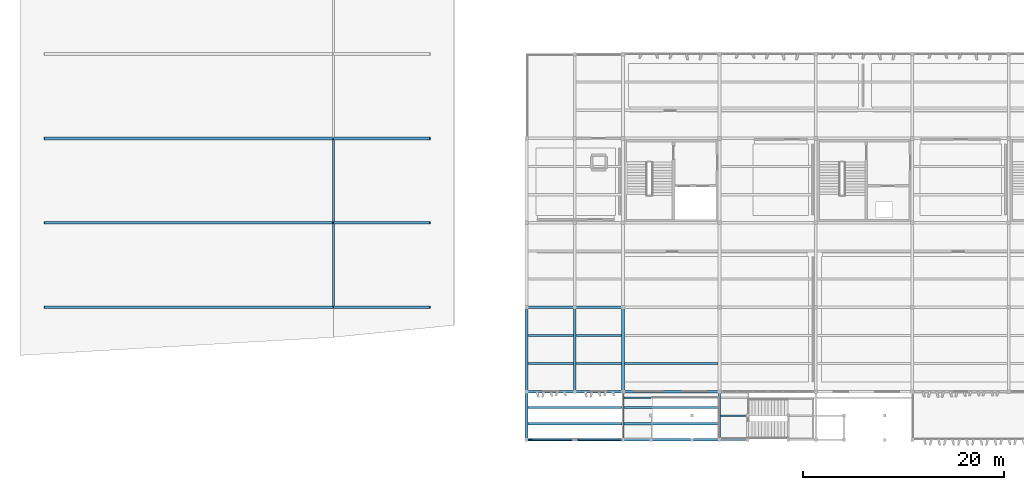
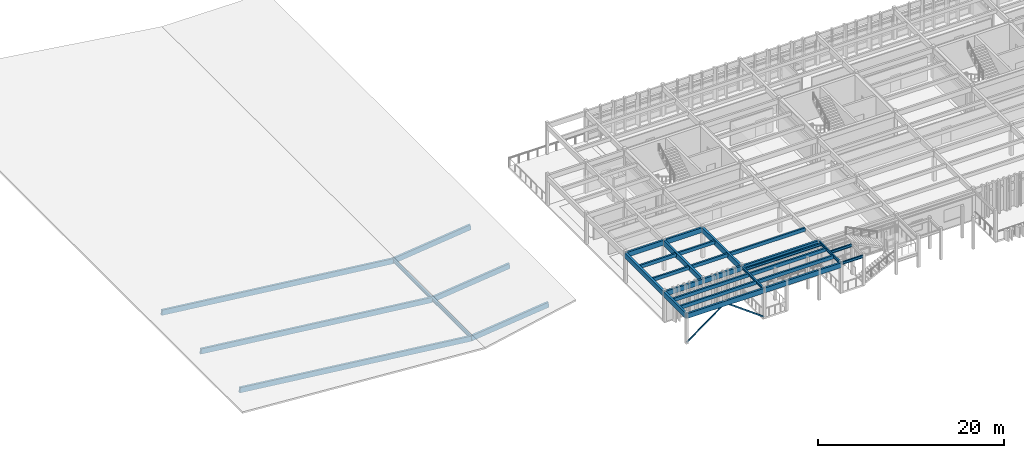
# One storey, part 2 of 18: 27 beams, 8 members.
"""IFC4 building model written with IfcOpenShell, lengths in metres."""

from ifc_helpers import new_model, si_unit, direction, frame, origin, origin_2d, place, context, subcontext, project, spatial, rectangle, hollow_rectangle, i_section, extrude, material, material_profile, profile_set, type_object, element, save


model = new_model("IFC4")

# Units and contexts
model_context = context("Model", 3, precision=1e-05, world=origin(), true_north=direction((0.0, 1.0)))
body_context = subcontext(model_context, "Body", "Model", "MODEL_VIEW")
ifc_project = project(units=[si_unit("LENGTHUNIT", "METRE"), si_unit("AREAUNIT", "SQUARE_METRE"), si_unit("VOLUMEUNIT", "CUBIC_METRE"), si_unit("PLANEANGLEUNIT", "RADIAN"), si_unit("MASSUNIT", "GRAM", prefix="KILO")], contexts=[model_context])

# Site, building, storey
site_placement = place(None, origin())
site = spatial("IfcSite", under=ifc_project, at=site_placement, CompositionType="ELEMENT")
building_placement = place(site_placement, origin())
building = spatial("IfcBuilding", under=site, at=building_placement, Name="Kolvemor Railside Polytechnic", CompositionType="ELEMENT")
storey_placement = place(building_placement, frame((0.0, 0.0, 18.60009765625)))
storey = spatial("IfcBuildingStorey", under=building, at=storey_placement, Name="L04", CompositionType="ELEMENT", Elevation=18.60009765625)

# Beams
ifc_material_1 = material(Name="Glulam GL28h", Category="wood")
ifc_material_profile_1 = material_profile(ifc_material_1, rectangle(XDim=0.264892578125, YDim=0.679931640625, at=origin_2d()), Name="GL265x680")
ifc_profile_set_1 = profile_set([ifc_material_profile_1], Name="Glulam GL28h")
beam_type_1 = type_object("IfcBeamType", Name="BM-GL-GIRD2", PredefinedType="BEAM", material=ifc_profile_set_1)
for number, where, z_axis, x_axis, name in (
    (1, (62.39990234375, 4.800048828125, 3.6298828125), (0.0, 1.0, 0.0), (-1.0, 0.0, 0.0), "Primary Girder L05-GY 1548"),
    (2, (67.199951171875, 4.800048828125, 3.6298828125), (0.0, 1.0, 0.0), (-1.0, 0.0, 0.0), "Primary Girder L05-GY 1552"),
    (3, (57.60009765625, 4.800048828125, 3.6298828125), (0.0, 1.0, 0.0), (-1.0, 0.0, 0.0), "Primary Girder L05-GY 1959"),
):
    element("IfcBeam", number, at=place(storey_placement, frame(where, z_axis=z_axis, x_axis=x_axis)), inside=storey, type_object=beam_type_1, Name=name, PredefinedType="BEAM", context=body_context, shape_type="SweptSolid", body=[
        extrude(rectangle(XDim=0.264892578125, YDim=0.679931640625, at=origin_2d()), origin(), (0.0, 0.0, 1.0), 8.39990234375),
    ])
beam_1_placement = place(storey_placement, frame((57.60009765625, 0.0, 3.6298828125), z_axis=(0.0, 1.0, 0.0), x_axis=(-1.0, 0.0, 0.0)))
element("IfcBeam", 4, at=beam_1_placement, inside=storey, type_object=beam_type_1, Name="Primary Girder L05SP-GY 1974", PredefinedType="BEAM", context=body_context, shape_type="SweptSolid", body=[
    extrude(rectangle(XDim=0.264892578125, YDim=0.679931640625, at=origin_2d()), origin(), (0.0, 0.0, 1.0), 4.800048828125),
])
ifc_material_2 = material(Name="Glulam GL28h", Category="wood")
ifc_material_profile_2 = material_profile(ifc_material_2, rectangle(XDim=0.239990234375, YDim=0.639892578125, at=origin_2d()), Name="GL240x640")
ifc_profile_set_2 = profile_set([ifc_material_profile_2], Name="Glulam GL28h")
beam_type_2 = type_object("IfcBeamType", Name="BM-GL-GIRD5", PredefinedType="BEAM", material=ifc_profile_set_2)
beam_2_placement = place(storey_placement, frame((62.39990234375, 4.800048828125, 3.64990234375), z_axis=(1.0, 0.0, 0.0), x_axis=(0.0, 1.0, 0.0)))
element("IfcBeam", 5, at=beam_2_placement, inside=storey, type_object=beam_type_2, Name="Primary Girder L05-GX 1518", PredefinedType="BEAM", context=body_context, shape_type="SweptSolid", body=[
    extrude(rectangle(XDim=0.239990234375, YDim=0.639892578125, at=origin_2d()), origin(), (0.0, 0.0, 1.0), 4.800048828125),
])
beam_3_placement = place(storey_placement, frame((67.199951171875, 4.800048828125, 3.64990234375), z_axis=(1.0, 0.0, 0.0), x_axis=(0.0, 1.0, 0.0)))
element("IfcBeam", 6, at=beam_3_placement, inside=storey, type_object=beam_type_2, Name="Primary Girder L05-GX 1519", PredefinedType="BEAM", context=body_context, shape_type="SweptSolid", body=[
    extrude(rectangle(XDim=0.239990234375, YDim=0.639892578125, at=origin_2d()), origin(), (0.0, 0.0, 1.0), 9.60009765625),
])
beam_4_placement = place(storey_placement, frame((62.39990234375, 13.199951171875, 3.64990234375), z_axis=(1.0, 0.0, 0.0), x_axis=(0.0, 1.0, 0.0)))
element("IfcBeam", 7, at=beam_4_placement, inside=storey, type_object=beam_type_2, Name="Primary Girder L05-GX 1524", PredefinedType="BEAM", context=body_context, shape_type="SweptSolid", body=[
    extrude(rectangle(XDim=0.239990234375, YDim=0.639892578125, at=origin_2d()), origin(), (0.0, 0.0, 1.0), 4.800048828125),
])
for number, where, z_axis, x_axis, name in (
    (8, (57.60009765625, 4.800048828125, 3.64990234375), (1.0, 0.0, 0.0), (0.0, 1.0, 0.0), "Primary Girder L05-GX 1955"),
    (9, (57.60009765625, 13.199951171875, 3.64990234375), (1.0, 0.0, 0.0), (0.0, 1.0, 0.0), "Primary Girder L05-GX 1956"),
):
    element("IfcBeam", number, at=place(storey_placement, frame(where, z_axis=z_axis, x_axis=x_axis)), inside=storey, type_object=beam_type_2, Name=name, PredefinedType="BEAM", context=body_context, shape_type="SweptSolid", body=[
        extrude(rectangle(XDim=0.239990234375, YDim=0.639892578125, at=origin_2d()), origin(), (0.0, 0.0, 1.0), 4.7998046875),
    ])
beam_5_placement = place(storey_placement, frame((57.60009765625, 0.0, 3.64990234375), z_axis=(1.0, 0.0, 0.0), x_axis=(0.0, 1.0, 0.0)))
element("IfcBeam", 10, at=beam_5_placement, inside=storey, type_object=beam_type_2, Name="Primary Girder L05SP-GX 1968", PredefinedType="BEAM", context=body_context, shape_type="SweptSolid", body=[
    extrude(rectangle(XDim=0.239990234375, YDim=0.639892578125, at=origin_2d()), origin(), (0.0, 0.0, 1.0), 9.599853515625),
])
beam_6_placement = place(storey_placement, frame((67.199951171875, 0.0, 3.64990234375), z_axis=(1.0, 0.0, 0.0), x_axis=(0.0, 1.0, 0.0)))
element("IfcBeam", 11, at=beam_6_placement, inside=storey, type_object=beam_type_2, Name="Primary Girder L05SP-GX 1971", PredefinedType="BEAM", context=body_context, shape_type="SweptSolid", body=[
    extrude(rectangle(XDim=0.239990234375, YDim=0.639892578125, at=origin_2d()), origin(), (0.0, 0.0, 1.0), 9.60009765625),
])
ifc_material_3 = material(Name="Glulam GL28h", Category="wood")
ifc_material_profile_3 = material_profile(ifc_material_3, rectangle(XDim=0.215087890625, YDim=0.449951171875, at=origin_2d()), Name="GL215x450")
ifc_profile_set_3 = profile_set([ifc_material_profile_3], Name="Glulam GL28h")
beam_type_3 = type_object("IfcBeamType", Name="BM-GL-JST2", PredefinedType="JOIST", material=ifc_profile_set_3)
for number, where, z_axis, x_axis, name in (
    (12, (62.532958984375, 7.60009765625, 3.744873046875), (1.0, 0.0, 0.0), (0.0, 1.0, 0.0), "Floor Joist L05-J1576"),
    (13, (62.532958984375, 10.39990234375, 3.744873046875), (1.0, 0.0, 0.0), (0.0, 1.0, 0.0), "Floor Joist L05-J1577"),
):
    element("IfcBeam", number, at=place(storey_placement, frame(where, z_axis=z_axis, x_axis=x_axis)), inside=storey, type_object=beam_type_3, Name=name, PredefinedType="JOIST", context=body_context, shape_type="SweptSolid", body=[
        extrude(rectangle(XDim=0.215087890625, YDim=0.449951171875, at=origin_2d()), origin(), (0.0, 0.0, 1.0), 4.533935546875),
    ])
beam_7_placement = place(storey_placement, frame((67.3330078125, 7.60009765625, 3.744873046875), z_axis=(1.0, 0.0, 0.0), x_axis=(0.0, 1.0, 0.0)))
element("IfcBeam", 14, at=beam_7_placement, inside=storey, type_object=beam_type_3, Name="Floor Joist L05-J1584", PredefinedType="JOIST", context=body_context, shape_type="SweptSolid", body=[
    extrude(rectangle(XDim=0.215087890625, YDim=0.449951171875, at=origin_2d()), origin(), (0.0, 0.0, 1.0), 9.333984375),
])
for number, where, z_axis, x_axis, name in (
    (15, (57.73291015625, 7.60009765625, 3.744873046875), (1.0, 0.0, 0.0), (0.0, 1.0, 0.0), "Floor Joist L05-J1962"),
    (16, (57.73291015625, 10.39990234375, 3.744873046875), (1.0, 0.0, 0.0), (0.0, 1.0, 0.0), "Floor Joist L05-J1963"),
):
    element("IfcBeam", number, at=place(storey_placement, frame(where, z_axis=z_axis, x_axis=x_axis)), inside=storey, type_object=beam_type_3, Name=name, PredefinedType="JOIST", context=body_context, shape_type="SweptSolid", body=[
        extrude(rectangle(XDim=0.215087890625, YDim=0.449951171875, at=origin_2d()), origin(), (0.0, 0.0, 1.0), 4.5341796875),
    ])
for number, where, z_axis, x_axis, name in (
    (17, (57.669921875, 1.60009765625, 3.744873046875), (1.0, 0.0, 0.0), (0.0, 1.0, 0.0), "Floor Joist L05SP-J1969"),
    (18, (57.669921875, 3.199951171875, 3.744873046875), (1.0, 0.0, 0.0), (0.0, 1.0, 0.0), "Floor Joist L05SP-J1970"),
    (19, (67.27001953125, 1.60009765625, 3.744873046875), (1.0, 0.0, 0.0), (0.0, 1.0, 0.0), "Floor Joist L05SP-J1972"),
    (20, (67.27001953125, 3.199951171875, 3.744873046875), (1.0, 0.0, 0.0), (0.0, 1.0, 0.0), "Floor Joist L05SP-J1973"),
):
    element("IfcBeam", number, at=place(storey_placement, frame(where, z_axis=z_axis, x_axis=x_axis)), inside=storey, type_object=beam_type_3, Name=name, PredefinedType="JOIST", context=body_context, shape_type="SweptSolid", body=[
        extrude(rectangle(XDim=0.215087890625, YDim=0.449951171875, at=origin_2d()), origin(), (0.0, 0.0, 1.0), 9.4599609375),
    ])
ifc_material_4 = material(Name="Steel S355", Category="steel")
ifc_material_profile_4 = material_profile(ifc_material_4, i_section(OverallWidth=0.172119140625, OverallDepth=0.35791015625, WebThickness=0.0078125, FlangeThickness=0.01318359375, FilletRadius=0.010986328125, at=origin_2d()), Name="W360x57")
ifc_profile_set_4 = profile_set([ifc_material_profile_4], Name="Steel S355")
beam_type_4 = type_object("IfcBeamType", Name="BM-ST-COLL", PredefinedType="BEAM", material=ifc_profile_set_4)
beam_8_placement = place(storey_placement, frame((76.800048828125, 0.0, 3.80078125), z_axis=(0.0, 1.0, 0.0), x_axis=(-1.0, 0.0, 0.0)))
element("IfcBeam", 21, at=beam_8_placement, inside=storey, type_object=beam_type_4, Name="Zigzag Stair Top Beam L05 2081", PredefinedType="BEAM", context=body_context, shape_type="SweptSolid", body=[
    extrude(i_section(OverallWidth=0.172119140625, OverallDepth=0.35791015625, WebThickness=0.0078125, FlangeThickness=0.01318359375, FilletRadius=0.010986328125, at=origin_2d()), origin(), (0.0, 0.0, 1.0), 4.800048828125),
])
for number, where, z_axis, x_axis, name in (
    (22, (76.875, 0.0, 3.80078125), (1.0, 0.0, 0.0), (0.0, 1.0, 0.0), "Zigzag Stair Top Tie L05 2083"),
    (23, (76.875, 2.39990234375, 3.80078125), (1.0, 0.0, 0.0), (0.0, 1.0, 0.0), "Zigzag Stair Top Tie L05 2084"),
):
    element("IfcBeam", number, at=place(storey_placement, frame(where, z_axis=z_axis, x_axis=x_axis)), inside=storey, type_object=beam_type_4, Name=name, PredefinedType="BEAM", context=body_context, shape_type="SweptSolid", body=[
        extrude(i_section(OverallWidth=0.172119140625, OverallDepth=0.35791015625, WebThickness=0.0078125, FlangeThickness=0.01318359375, FilletRadius=0.010986328125, at=origin_2d()), origin(), (0.0, 0.0, 1.0), 2.64990234375),
    ])
beam_9_placement = place(storey_placement, frame((67.280029296875, 4.199951171875, 3.80078125), z_axis=(1.0, 0.0, 0.0), x_axis=(0.0, 1.0, 0.0)))
element("IfcBeam", 24, at=beam_9_placement, inside=storey, type_object=beam_type_4, Name="Zigzag Rear Gallery Beam L05 2089", PredefinedType="BEAM", context=body_context, shape_type="SweptSolid", body=[
    extrude(i_section(OverallWidth=0.172119140625, OverallDepth=0.35791015625, WebThickness=0.0078125, FlangeThickness=0.01318359375, FilletRadius=0.010986328125, at=origin_2d()), origin(), (0.0, 0.0, 1.0), 9.43994140625),
])
beam_10_placement = place(storey_placement, frame((67.199951171875, 0.0, 3.80078125), z_axis=(0.0, 1.0, 0.0), x_axis=(-1.0, 0.0, 0.0)))
element("IfcBeam", 25, at=beam_10_placement, inside=storey, type_object=beam_type_4, Name="Zigzag Rear Cross Beam L05 2092", PredefinedType="BEAM", context=body_context, shape_type="SweptSolid", body=[
    extrude(i_section(OverallWidth=0.172119140625, OverallDepth=0.35791015625, WebThickness=0.0078125, FlangeThickness=0.01318359375, FilletRadius=0.010986328125, at=origin_2d()), origin(), (0.0, 0.0, 1.0), 4.800048828125),
])
ifc_material_5 = material(Name="Steel S355", Category="steel")
ifc_material_profile_5 = material_profile(ifc_material_5, i_section(OverallWidth=0.19091796875, OverallDepth=0.4599609375, WebThickness=0.010009765625, FlangeThickness=0.01611328125, FilletRadius=0.012939453125, at=origin_2d()), Name="W460x82")
ifc_profile_set_5 = profile_set([ifc_material_profile_5], Name="Steel S355")
beam_type_5 = type_object("IfcBeamType", Name="BM-ST-ROOF", PredefinedType="BEAM", material=ifc_profile_set_5)
beam_11_placement = place(storey_placement, frame((38.39990234375, 13.199951171875, -0.4501953125), z_axis=(0.0, 1.0, 0.0), x_axis=(-1.0, 0.0, 0.0)))
element("IfcBeam", 26, at=beam_11_placement, inside=storey, type_object=beam_type_5, Name="Lecture Wing Fold Beam B-ST1-13", PredefinedType="BEAM", context=body_context, shape_type="SweptSolid", body=[
    extrude(i_section(OverallWidth=0.19091796875, OverallDepth=0.4599609375, WebThickness=0.010009765625, FlangeThickness=0.01611328125, FilletRadius=0.012939453125, at=origin_2d()), origin(), (0.0, 0.0, 1.0), 8.400146484375),
])
beam_12_placement = place(storey_placement, frame((38.39990234375, 21.60009765625, -0.4501953125), z_axis=(0.0, 1.0, 0.0), x_axis=(-1.0, 0.0, 0.0)))
element("IfcBeam", 27, at=beam_12_placement, inside=storey, type_object=beam_type_5, Name="Lecture Wing Fold Beam B-ST1-21", PredefinedType="BEAM", context=body_context, shape_type="SweptSolid", body=[
    extrude(i_section(OverallWidth=0.19091796875, OverallDepth=0.4599609375, WebThickness=0.010009765625, FlangeThickness=0.01611328125, FilletRadius=0.012939453125, at=origin_2d()), origin(), (0.0, 0.0, 1.0), 8.39990234375),
])

# Members
ifc_material_6 = material(Name="Steel S355", Category="steel")
ifc_material_profile_6 = material_profile(ifc_material_6, hollow_rectangle(XDim=0.10009765625, YDim=0.179931640625, WallThickness=0.008056640625, InnerFilletRadius=0.008056640625, OuterFilletRadius=0.01611328125, at=origin_2d()), Name="HSS180x100x8")
ifc_profile_set_6 = profile_set([ifc_material_profile_6], Name="Steel S355")
member_type_1 = type_object("IfcMemberType", Name="MEM-BR-HSS4", PredefinedType="BRACE", material=ifc_profile_set_6)
member_1_placement = place(storey_placement, frame((57.60009765625, 0.0, 0.14990234375), z_axis=(0.80639195561, 0.0, 0.59138144537), x_axis=(0.0, 1.0, 0.0)))
element("IfcMember", 28, at=member_1_placement, inside=storey, type_object=member_type_1, Name="Wind Chevron Brace BR-29A", PredefinedType="BRACE", context=body_context, shape_type="SweptSolid", body=[
    extrude(hollow_rectangle(XDim=0.10009765625, YDim=0.179931640625, WallThickness=0.008056640625, InnerFilletRadius=0.008056640625, OuterFilletRadius=0.01611328125, at=origin_2d()), origin(), (0.0, 0.0, 1.0), 5.9521484375),
])
member_2_placement = place(storey_placement, frame((67.199951171875, 0.0, 0.14990234375), z_axis=(-0.806406299816, 0.0, 0.591361885496), x_axis=(0.0, -1.0, 0.0)))
element("IfcMember", 29, at=member_2_placement, inside=storey, type_object=member_type_1, Name="Wind Chevron Brace BR-29B", PredefinedType="BRACE", context=body_context, shape_type="SweptSolid", body=[
    extrude(hollow_rectangle(XDim=0.10009765625, YDim=0.179931640625, WallThickness=0.008056640625, InnerFilletRadius=0.008056640625, OuterFilletRadius=0.01611328125, at=origin_2d()), origin(), (0.0, 0.0, 1.0), 5.952392578125),
])
ifc_material_7 = material(Name="Glulam GL28h", Category="wood")
ifc_material_profile_7 = material_profile(ifc_material_7, rectangle(XDim=0.264892578125, YDim=0.679931640625, at=origin_2d()), Name="GL265x680")
ifc_profile_set_7 = profile_set([ifc_material_profile_7], Name="Glulam GL28h")
member_type_2 = type_object("IfcMemberType", Name="MEM-WG-RAFTER", PredefinedType="RAFTER", material=ifc_profile_set_7)
member_3_placement = place(storey_placement, frame((9.60009765625, 13.199951171875, 2.699951171875), z_axis=(0.993576875742, 0.0, -0.113159144532), x_axis=(0.0, 1.0, 0.0)))
element("IfcMember", 30, at=member_3_placement, inside=storey, type_object=member_type_2, Name="Lecture Wing Swept Rafter RF-V3W-13", PredefinedType="RAFTER", context=body_context, shape_type="SweptSolid", body=[
    extrude(rectangle(XDim=0.264892578125, YDim=0.679931640625, at=origin_2d()), origin(), (0.0, 0.0, 1.0), 28.986083984375),
])
member_4_placement = place(storey_placement, frame((38.39990234375, 13.199951171875, -0.580078125), z_axis=(0.993498260898, 0.0, 0.113847290667), x_axis=(0.0, 1.0, 0.0)))
element("IfcMember", 31, at=member_4_placement, inside=storey, type_object=member_type_2, Name="Lecture Wing Counter Rafter RF-V3E-13", PredefinedType="RAFTER", context=body_context, shape_type="SweptSolid", body=[
    extrude(rectangle(XDim=0.264892578125, YDim=0.679931640625, at=origin_2d()), origin(), (0.0, 0.0, 1.0), 9.662841796875),
])
member_5_placement = place(storey_placement, frame((9.60009765625, 21.60009765625, 2.699951171875), z_axis=(0.993576875742, 0.0, -0.113159144532), x_axis=(0.0, 1.0, 0.0)))
element("IfcMember", 32, at=member_5_placement, inside=storey, type_object=member_type_2, Name="Lecture Wing Swept Rafter RF-V3W-21", PredefinedType="RAFTER", context=body_context, shape_type="SweptSolid", body=[
    extrude(rectangle(XDim=0.264892578125, YDim=0.679931640625, at=origin_2d()), origin(), (0.0, 0.0, 1.0), 28.986083984375),
])
member_6_placement = place(storey_placement, frame((38.39990234375, 21.60009765625, -0.580078125), z_axis=(0.993498260898, 0.0, 0.113847290667), x_axis=(0.0, 1.0, 0.0)))
element("IfcMember", 33, at=member_6_placement, inside=storey, type_object=member_type_2, Name="Lecture Wing Counter Rafter RF-V3E-21", PredefinedType="RAFTER", context=body_context, shape_type="SweptSolid", body=[
    extrude(rectangle(XDim=0.264892578125, YDim=0.679931640625, at=origin_2d()), origin(), (0.0, 0.0, 1.0), 9.662841796875),
])
member_7_placement = place(storey_placement, frame((9.60009765625, 30.0, 2.699951171875), z_axis=(0.993576875742, 0.0, -0.113159144532), x_axis=(0.0, 1.0, 0.0)))
element("IfcMember", 34, at=member_7_placement, inside=storey, type_object=member_type_2, Name="Lecture Wing Swept Rafter RF-V3W-30", PredefinedType="RAFTER", context=body_context, shape_type="SweptSolid", body=[
    extrude(rectangle(XDim=0.264892578125, YDim=0.679931640625, at=origin_2d()), origin(), (0.0, 0.0, 1.0), 28.986083984375),
])
member_8_placement = place(storey_placement, frame((38.39990234375, 30.0, -0.580078125), z_axis=(0.993498260898, 0.0, 0.113847290667), x_axis=(0.0, 1.0, 0.0)))
element("IfcMember", 35, at=member_8_placement, inside=storey, type_object=member_type_2, Name="Lecture Wing Counter Rafter RF-V3E-30", PredefinedType="RAFTER", context=body_context, shape_type="SweptSolid", body=[
    extrude(rectangle(XDim=0.264892578125, YDim=0.679931640625, at=origin_2d()), origin(), (0.0, 0.0, 1.0), 9.662841796875),
])

save(model, "model.ifc")
